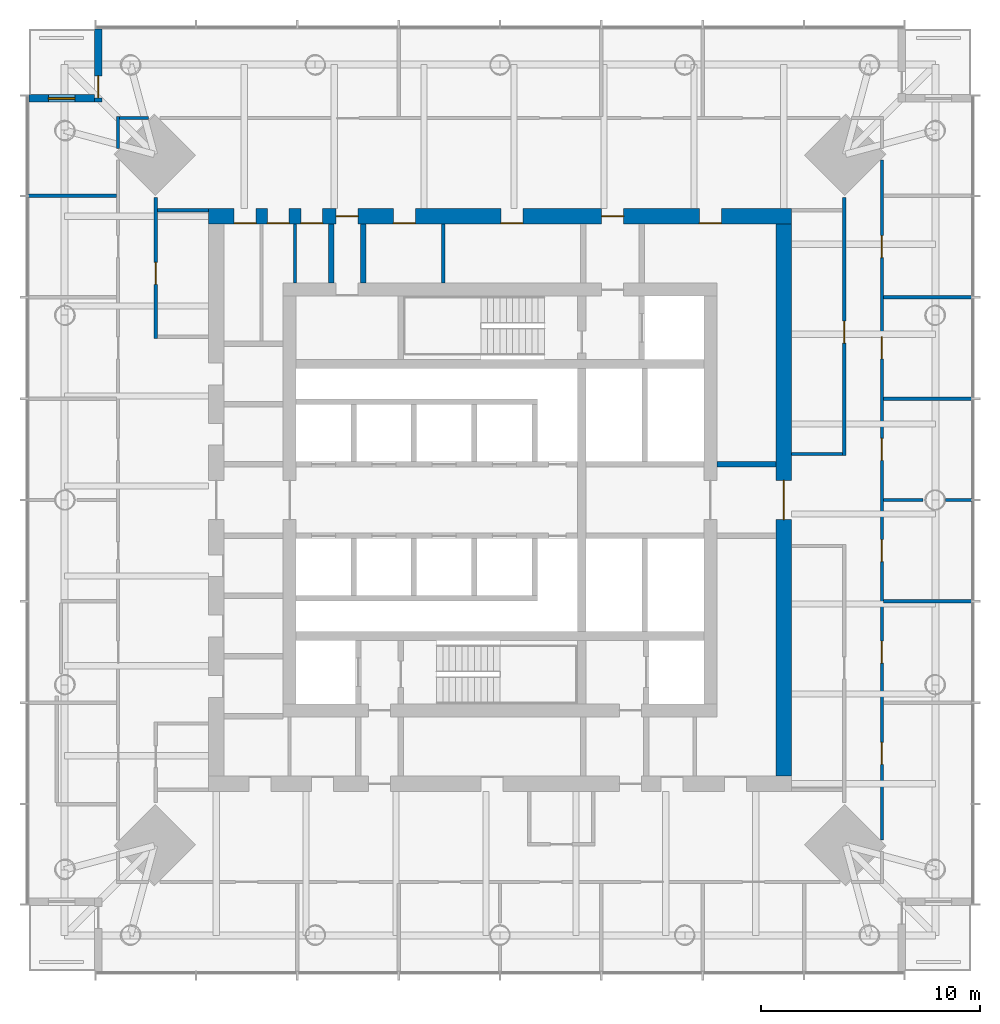
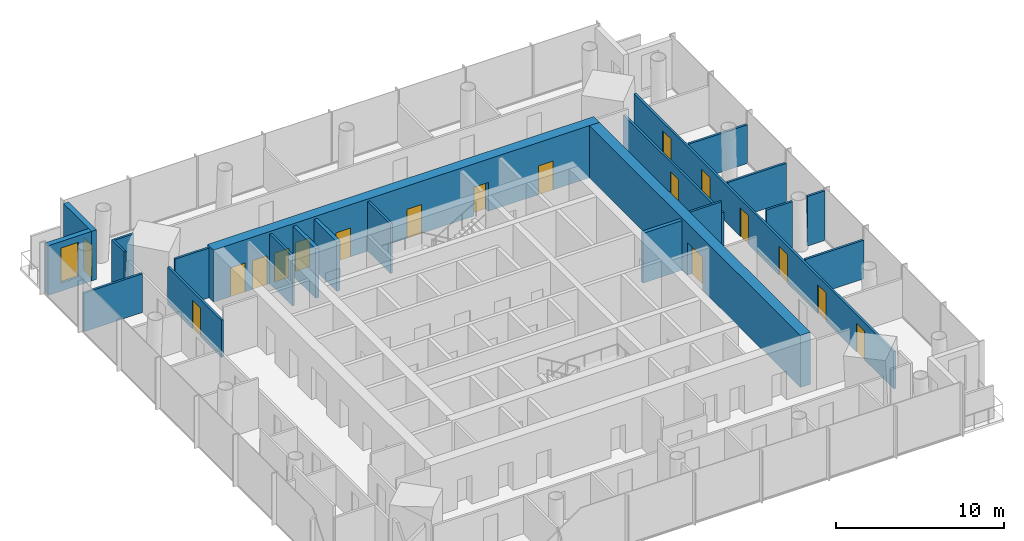
# One storey, part 7 of 9: 22 walls, 18 doors, 1 window, 19 openings.
"""IFC4 building model written with IfcOpenShell, lengths in metres."""

from ifc_helpers import new_model, si_unit, direction, frame, frame_2d, origin, place, context, subcontext, project, spatial, rectangle, extrude, material, layer, layer_set, type_object, element, fill, save


model = new_model("IFC4")

# Units and contexts
model_context = context("Model", 3, precision=1e-05, world=origin(), true_north=direction((0.0, 1.0)))
body_context = subcontext(model_context, "Body", "Model", "MODEL_VIEW")
ifc_project = project(units=[si_unit("LENGTHUNIT", "METRE"), si_unit("AREAUNIT", "SQUARE_METRE"), si_unit("VOLUMEUNIT", "CUBIC_METRE"), si_unit("PLANEANGLEUNIT", "RADIAN"), si_unit("MASSUNIT", "GRAM", prefix="KILO")], contexts=[model_context])

# Site, building, storey
site_placement = place(None, origin())
site = spatial("IfcSite", under=ifc_project, at=site_placement, CompositionType="ELEMENT")
building_placement = place(site_placement, origin())
building = spatial("IfcBuilding", under=site, at=building_placement, Name="Ostroluk Exchange", CompositionType="ELEMENT")
storey_placement = place(building_placement, frame((0.0, 0.0, 150.199951171875)))
storey = spatial("IfcBuildingStorey", under=building, at=storey_placement, Name="L38", CompositionType="ELEMENT", Elevation=150.199951171875)

# Walls
ifc_material_1 = material(Name="Concrete blockwork", Category="masonry")
ifc_layer_1 = layer(ifc_material_1, 0.14990234375)
ifc_layer_set_1 = layer_set([ifc_layer_1], Name="Blockwork plant room wall 150")
wall_type_1 = type_object("IfcWallType", Name="Blockwork plant room wall 150", PredefinedType="SOLIDWALL", material=ifc_layer_set_1)
for number, where, z_axis, x_axis, name in (
    (1, (35.64697265625, 55.89990234375, 0.0), (0.0, 0.0, 1.0), (0.0, 1.0, 0.0), "Core room wall"),
    (2, (42.40478515625, 55.89990234375, 0.0), (0.0, 0.0, 1.0), (0.0, 1.0, 0.0), "Core room wall"),
):
    element("IfcWall", number, at=place(storey_placement, frame(where, z_axis=z_axis, x_axis=x_axis)), inside=storey, type_object=wall_type_1, Name=name, PredefinedType="SOLIDWALL", context=body_context, shape_type="SweptSolid", body=[
        extrude(rectangle(XDim=2.7001953125, YDim=0.14990234375, at=frame_2d((1.35009765625, 0.0))), origin(), (0.0, 0.0, 1.0), 3.6201171875),
    ])
ifc_material_2 = material(Name="Concrete blockwork", Category="masonry")
ifc_layer_2 = layer(ifc_material_2, 0.25)
ifc_layer_set_2 = layer_set([ifc_layer_2], Name="Blockwork stair enclosure wall 250")
wall_type_2 = type_object("IfcWallType", Name="Blockwork stair enclosure wall 250", PredefinedType="SOLIDWALL", material=ifc_layer_set_2)
for number, where, z_axis, x_axis, name in (
    (3, (54.89990234375, 47.625, 0.0), (0.0, 0.0, 1.0), (1.0, 0.0, 0.0), "Lift lobby enclosure wall"),
    (4, (37.300048828125, 55.89990234375, 0.0), (0.0, 0.0, 1.0), (0.0, 1.0, 0.0), "Core corridor wall"),
    (5, (38.75, 55.89990234375, 0.0), (0.0, 0.0, 1.0), (0.0, 1.0, 0.0), "Core corridor wall"),
):
    element("IfcWall", number, at=place(storey_placement, frame(where, z_axis=z_axis, x_axis=x_axis)), inside=storey, type_object=wall_type_2, Name=name, PredefinedType="SOLIDWALL", context=body_context, shape_type="SweptSolid", body=[
        extrude(rectangle(XDim=2.7001953125, YDim=0.25, at=frame_2d((1.35009765625, 0.0))), origin(), (0.0, 0.0, 1.0), 3.6201171875),
    ])

# Wall, openings, doors
ifc_material_3 = material(Name="Concrete C50/60", Category="concrete")
ifc_layer_3 = layer(ifc_material_3, 0.699951171875)
ifc_layer_set_3 = layer_set([ifc_layer_3], Name="Core wall 700 C50/60")
wall_type_3 = type_object("IfcWallType", Name="Core wall 700 C50/60", PredefinedType="SHEAR", material=ifc_layer_set_3)
wall_1_placement = place(storey_placement, frame((31.699951171875, 58.949951171875, 0.0), z_axis=(0.0, 0.0, 1.0), x_axis=(1.0, 0.0, 0.0)))
wall_1 = element("IfcWall", 6, at=wall_1_placement, inside=storey, type_object=wall_type_3, Name="T1 core wall RN", PredefinedType="SHEAR", context=body_context, shape_type="SweptSolid", body=[
    extrude(rectangle(XDim=26.60009765625, YDim=0.699951171875, at=frame_2d((13.300048828125, 0.0))), origin(), (0.0, 0.0, 1.0), 3.800048828125),
])
opening_1_placement = place(wall_1_placement, frame((17.93994140625, 0.0, 0.0)))
opening_1 = element("IfcOpeningElement", 7, at=opening_1_placement, cuts=wall_1, Name="Opening FD60", PredefinedType="OPENING", context=body_context, shape_type="SweptSolid", body=[
    extrude(rectangle(XDim=1.0, YDim=2.10009765625, at=frame_2d((0.5, 1.050048828125))), frame((0.0, 0.35986328125, 0.0), z_axis=(0.0, -1.0, 0.0), x_axis=(1.0, 0.0, 0.0)), (0.0, 0.0, 1.0), 0.719970703125),
])
opening_2_placement = place(wall_1_placement, frame((5.824951171875, 0.0, 0.0)))
opening_2 = element("IfcOpeningElement", 8, at=opening_2_placement, cuts=wall_1, Name="Opening FD60", PredefinedType="OPENING", context=body_context, shape_type="SweptSolid", body=[
    extrude(rectangle(XDim=1.0, YDim=2.10009765625, at=frame_2d((0.5, 1.050048828125))), frame((0.0, 0.35986328125, 0.0), z_axis=(0.0, -1.0, 0.0), x_axis=(1.0, 0.0, 0.0)), (0.0, 0.0, 1.0), 0.719970703125),
])
opening_3_placement = place(wall_1_placement, frame((1.1689453125, 0.0, 0.0)))
opening_3 = element("IfcOpeningElement", 9, at=opening_3_placement, cuts=wall_1, Name="Opening FD60", PredefinedType="OPENING", context=body_context, shape_type="SweptSolid", body=[
    extrude(rectangle(XDim=1.0, YDim=2.10009765625, at=frame_2d((0.5, 1.050048828125))), frame((0.0, 0.35986328125, 0.0), z_axis=(0.0, -1.0, 0.0), x_axis=(1.0, 0.0, 0.0)), (0.0, 0.0, 1.0), 0.719970703125),
])
opening_4_placement = place(wall_1_placement, frame((2.68310546875, 0.0, 0.0)))
opening_4 = element("IfcOpeningElement", 10, at=opening_4_placement, cuts=wall_1, Name="Opening FD60", PredefinedType="OPENING", context=body_context, shape_type="SweptSolid", body=[
    extrude(rectangle(XDim=1.0, YDim=2.10009765625, at=frame_2d((0.5, 1.050048828125))), frame((0.0, 0.35986328125, 0.0), z_axis=(0.0, -1.0, 0.0), x_axis=(1.0, 0.0, 0.0)), (0.0, 0.0, 1.0), 0.719970703125),
])
opening_5_placement = place(wall_1_placement, frame((4.2109375, 0.0, 0.0)))
opening_5 = element("IfcOpeningElement", 11, at=opening_5_placement, cuts=wall_1, Name="Opening FD60", PredefinedType="OPENING", context=body_context, shape_type="SweptSolid", body=[
    extrude(rectangle(XDim=1.0, YDim=2.10009765625, at=frame_2d((0.5, 1.050048828125))), frame((0.0, 0.35986328125, 0.0), z_axis=(0.0, -1.0, 0.0), x_axis=(1.0, 0.0, 0.0)), (0.0, 0.0, 1.0), 0.719970703125),
])
opening_6_placement = place(wall_1_placement, frame((8.43994140625, 0.0, 0.0)))
opening_6 = element("IfcOpeningElement", 12, at=opening_6_placement, cuts=wall_1, Name="Opening FD60", PredefinedType="OPENING", context=body_context, shape_type="SweptSolid", body=[
    extrude(rectangle(XDim=1.0, YDim=2.10009765625, at=frame_2d((0.5, 1.050048828125))), frame((0.0, 0.35986328125, 0.0), z_axis=(0.0, -1.0, 0.0), x_axis=(1.0, 0.0, 0.0)), (0.0, 0.0, 1.0), 0.719970703125),
])
opening_7_placement = place(wall_1_placement, frame((13.34228515625, 0.0, 0.0)))
opening_7 = element("IfcOpeningElement", 13, at=opening_7_placement, cuts=wall_1, Name="Opening FD60", PredefinedType="OPENING", context=body_context, shape_type="SweptSolid", body=[
    extrude(rectangle(XDim=1.0, YDim=2.10009765625, at=frame_2d((0.5, 1.050048828125))), frame((0.0, 0.35986328125, 0.0), z_axis=(0.0, -1.0, 0.0), x_axis=(1.0, 0.0, 0.0)), (0.0, 0.0, 1.0), 0.719970703125),
])
opening_8_placement = place(wall_1_placement, frame((22.39990234375, 0.0, 0.0)))
opening_8 = element("IfcOpeningElement", 14, at=opening_8_placement, cuts=wall_1, Name="Opening FD60", PredefinedType="OPENING", context=body_context, shape_type="SweptSolid", body=[
    extrude(rectangle(XDim=1.0, YDim=2.10009765625, at=frame_2d((0.5, 1.050048828125))), frame((0.0, 0.35986328125, 0.0), z_axis=(0.0, -1.0, 0.0), x_axis=(1.0, 0.0, 0.0)), (0.0, 0.0, 1.0), 0.719970703125),
])
ifc_material_4 = material(Name="Steel", Category="steel")
door_type_1 = type_object("IfcDoorType", Name="Fire door EI 60 1000 x 2100", OperationType="SINGLE_SWING_LEFT", PredefinedType="DOOR", material=ifc_material_4)
door_1_placement = place(opening_1_placement, origin())
door_1 = element("IfcDoor", 15, at=door_1_placement, inside=storey, type_object=door_type_1, Name="Firefighting lobby door", OperationType="SINGLE_SWING_RIGHT", OverallHeight=2.10009765625, OverallWidth=1.0, PredefinedType="DOOR", context=body_context, shape_type="SweptSolid", body=[
    extrude(rectangle(XDim=1.0, YDim=2.10009765625, at=frame_2d((0.5, 1.050048828125))), frame((0.0, 0.02490234375, 0.0), z_axis=(0.0, -1.0, 0.0), x_axis=(1.0, 0.0, 0.0)), (0.0, 0.0, 1.0), 0.050048828125),
])
fill(opening_1, door_1)
door_2_placement = place(opening_2_placement, origin())
door_2 = element("IfcDoor", 16, at=door_2_placement, inside=storey, type_object=door_type_1, Name="Core corridor door", OperationType="SINGLE_SWING_LEFT", OverallHeight=2.10009765625, OverallWidth=1.0, PredefinedType="DOOR", context=body_context, shape_type="SweptSolid", body=[
    extrude(rectangle(XDim=1.0, YDim=2.10009765625, at=frame_2d((0.5, 1.050048828125))), frame((0.0, 0.02490234375, 0.0), z_axis=(0.0, -1.0, 0.0), x_axis=(1.0, 0.0, 0.0)), (0.0, 0.0, 1.0), 0.050048828125),
])
fill(opening_2, door_2)
door_3_placement = place(opening_3_placement, origin())
door_3 = element("IfcDoor", 17, at=door_3_placement, inside=storey, type_object=door_type_1, Name="Tenant IT room door", OperationType="SINGLE_SWING_LEFT", OverallHeight=2.10009765625, OverallWidth=1.0, PredefinedType="DOOR", context=body_context, shape_type="SweptSolid", body=[
    extrude(rectangle(XDim=1.0, YDim=2.10009765625, at=frame_2d((0.5, 1.050048828125))), frame((0.0, -0.2900390625, 0.0), z_axis=(0.0, -1.0, 0.0), x_axis=(1.0, 0.0, 0.0)), (0.0, 0.0, 1.0), 0.050048828125),
])
fill(opening_3, door_3)
door_4_placement = place(opening_4_placement, origin())
door_4 = element("IfcDoor", 18, at=door_4_placement, inside=storey, type_object=door_type_1, Name="First aid room door", OperationType="SINGLE_SWING_LEFT", OverallHeight=2.10009765625, OverallWidth=1.0, PredefinedType="DOOR", context=body_context, shape_type="SweptSolid", body=[
    extrude(rectangle(XDim=1.0, YDim=2.10009765625, at=frame_2d((0.5, 1.050048828125))), frame((0.0, -0.2900390625, 0.0), z_axis=(0.0, -1.0, 0.0), x_axis=(1.0, 0.0, 0.0)), (0.0, 0.0, 1.0), 0.050048828125),
])
fill(opening_4, door_4)
door_5_placement = place(opening_5_placement, origin())
door_5 = element("IfcDoor", 19, at=door_5_placement, inside=storey, type_object=door_type_1, Name="Cleaner's store door", OperationType="SINGLE_SWING_LEFT", OverallHeight=2.10009765625, OverallWidth=1.0, PredefinedType="DOOR", context=body_context, shape_type="SweptSolid", body=[
    extrude(rectangle(XDim=1.0, YDim=2.10009765625, at=frame_2d((0.5, 1.050048828125))), frame((0.0, -0.2900390625, 0.0), z_axis=(0.0, -1.0, 0.0), x_axis=(1.0, 0.0, 0.0)), (0.0, 0.0, 1.0), 0.050048828125),
])
fill(opening_5, door_5)
door_6_placement = place(opening_6_placement, origin())
door_6 = element("IfcDoor", 20, at=door_6_placement, inside=storey, type_object=door_type_1, Name="Print and post room door", OperationType="SINGLE_SWING_LEFT", OverallHeight=2.10009765625, OverallWidth=1.0, PredefinedType="DOOR", context=body_context, shape_type="SweptSolid", body=[
    extrude(rectangle(XDim=1.0, YDim=2.10009765625, at=frame_2d((0.5, 1.050048828125))), frame((0.0, -0.2900390625, 0.0), z_axis=(0.0, -1.0, 0.0), x_axis=(1.0, 0.0, 0.0)), (0.0, 0.0, 1.0), 0.050048828125),
])
fill(opening_6, door_6)
door_7_placement = place(opening_7_placement, origin())
door_7 = element("IfcDoor", 21, at=door_7_placement, inside=storey, type_object=door_type_1, Name="Archive door", OperationType="SINGLE_SWING_RIGHT", OverallHeight=2.10009765625, OverallWidth=1.0, PredefinedType="DOOR", context=body_context, shape_type="SweptSolid", body=[
    extrude(rectangle(XDim=1.0, YDim=2.10009765625, at=frame_2d((0.5, 1.050048828125))), frame((0.0, -0.2900390625, 0.0), z_axis=(0.0, -1.0, 0.0), x_axis=(1.0, 0.0, 0.0)), (0.0, 0.0, 1.0), 0.050048828125),
])
fill(opening_7, door_7)
door_8_placement = place(opening_8_placement, origin())
door_8 = element("IfcDoor", 22, at=door_8_placement, inside=storey, type_object=door_type_1, Name="First aid room door", OperationType="SINGLE_SWING_RIGHT", OverallHeight=2.10009765625, OverallWidth=1.0, PredefinedType="DOOR", context=body_context, shape_type="SweptSolid", body=[
    extrude(rectangle(XDim=1.0, YDim=2.10009765625, at=frame_2d((0.5, 1.050048828125))), frame((0.0, -0.2900390625, 0.0), z_axis=(0.0, -1.0, 0.0), x_axis=(1.0, 0.0, 0.0)), (0.0, 0.0, 1.0), 0.050048828125),
])
fill(opening_8, door_8)

# Wall, opening, door
wall_2_placement = place(storey_placement, frame((57.949951171875, 33.39990234375, 0.0), z_axis=(0.0, 0.0, 1.0), x_axis=(0.0, 1.0, 0.0)))
wall_2 = element("IfcWall", 23, at=wall_2_placement, inside=storey, type_object=wall_type_3, Name="T1 core wall RE", PredefinedType="SHEAR", context=body_context, shape_type="SweptSolid", body=[
    extrude(rectangle(XDim=25.2001953125, YDim=0.699951171875, at=frame_2d((12.60009765625, 0.0))), origin(), (0.0, 0.0, 1.0), 3.800048828125),
])
opening_9_placement = place(wall_2_placement, frame((11.699951171875, 0.0, 0.0)))
opening_9 = element("IfcOpeningElement", 24, at=opening_9_placement, cuts=wall_2, Name="Opening FD30D", PredefinedType="OPENING", context=body_context, shape_type="SweptSolid", body=[
    extrude(rectangle(XDim=1.800048828125, YDim=2.39990234375, at=frame_2d((0.89990234375, 1.199951171875))), frame((0.0, 0.35986328125, 0.0), z_axis=(0.0, -1.0, 0.0), x_axis=(1.0, 0.0, 0.0)), (0.0, 0.0, 1.0), 0.719970703125),
])
ifc_material_5 = material(Name="Timber", Category="wood")
door_type_2 = type_object("IfcDoorType", Name="Lobby double door EI 30 1800 x 2400", OperationType="DOUBLE_DOOR_SINGLE_SWING", PredefinedType="DOOR", material=ifc_material_5)
door_9_placement = place(opening_9_placement, origin())
door_9 = element("IfcDoor", 25, at=door_9_placement, inside=storey, type_object=door_type_2, Name="Lift lobby doors", OperationType="DOUBLE_DOOR_SINGLE_SWING", OverallHeight=2.39990234375, OverallWidth=1.800048828125, PredefinedType="DOOR", context=body_context, shape_type="SweptSolid", body=[
    extrude(rectangle(XDim=1.800048828125, YDim=2.39990234375, at=frame_2d((0.89990234375, 1.199951171875))), frame((0.0, 0.02490234375, 0.0), z_axis=(0.0, -1.0, 0.0), x_axis=(1.0, 0.0, 0.0)), (0.0, 0.0, 1.0), 0.050048828125),
])
fill(opening_9, door_9)

ifc_material_6 = material(Name="Limestone", Category="masonry")
ifc_layer_4 = layer(ifc_material_6, 0.35009765625)
ifc_layer_set_4 = layer_set([ifc_layer_4], Name="Limestone facade wall 350")
wall_type_4 = type_object("IfcWallType", Name="Limestone facade wall 350", PredefinedType="SOLIDWALL", material=ifc_layer_set_4)
wall_3_placement = place(storey_placement, frame((26.675048828125, 67.5, 0.0), z_axis=(0.0, 0.0, 1.0), x_axis=(0.0, -1.0, 0.0)))
wall_3 = element("IfcWall", 26, at=wall_3_placement, inside=storey, type_object=wall_type_4, Name="Office tower NW corner wall L38 a", PredefinedType="SOLIDWALL", context=body_context, shape_type="SweptSolid", body=[
    extrude(rectangle(XDim=3.35009765625, YDim=0.35009765625, at=frame_2d((1.675048828125, 0.0))), origin(), (0.0, 0.0, 1.0), 3.6201171875),
])
opening_10_placement = place(wall_3_placement, frame((2.14990234375, 0.0, 0.0)))
opening_10 = element("IfcOpeningElement", 27, at=opening_10_placement, cuts=wall_3, Name="Opening D-B1", PredefinedType="OPENING", context=body_context, shape_type="SweptSolid", body=[
    extrude(rectangle(XDim=1.0, YDim=2.39990234375, at=frame_2d((0.5, 1.199951171875))), frame((0.0, 0.18505859375, 0.0), z_axis=(0.0, -1.0, 0.0), x_axis=(1.0, 0.0, 0.0)), (0.0, 0.0, 1.0), 0.3701171875),
])
ifc_material_7 = material(Name="Bronze framed glazed door", Category="aluminium")
door_type_3 = type_object("IfcDoorType", Name="Balcony door 1000 x 2400", OperationType="SINGLE_SWING_LEFT", PredefinedType="DOOR", material=ifc_material_7)
door_10_placement = place(opening_10_placement, origin())
door_10 = element("IfcDoor", 28, at=door_10_placement, inside=storey, type_object=door_type_3, Name="Office tower NW balcony door L38", OperationType="SINGLE_SWING_RIGHT", OverallHeight=2.39990234375, OverallWidth=1.0, PredefinedType="DOOR", context=body_context, shape_type="SweptSolid", body=[
    extrude(rectangle(XDim=1.0, YDim=2.39990234375, at=frame_2d((0.5, 1.199951171875))), frame((0.0, 0.02490234375, 0.0), z_axis=(0.0, -1.0, 0.0), x_axis=(1.0, 0.0, 0.0)), (0.0, 0.0, 1.0), 0.050048828125),
])
fill(opening_10, door_10)

# Wall, opening, window
wall_4_placement = place(storey_placement, frame((26.5, 64.324951171875, 0.0), z_axis=(0.0, 0.0, 1.0), x_axis=(-1.0, 0.0, 0.0)))
wall_4 = element("IfcWall", 29, at=wall_4_placement, inside=storey, type_object=wall_type_4, Name="Office tower NW corner wall L38 b", PredefinedType="SOLIDWALL", context=body_context, shape_type="SweptSolid", body=[
    extrude(rectangle(XDim=3.0, YDim=0.35009765625, at=frame_2d((1.5, 0.0))), origin(), (0.0, 0.0, 1.0), 3.6201171875),
])
opening_11_placement = place(wall_4_placement, frame((0.89990234375, 0.0, 0.60009765625)))
opening_11 = element("IfcOpeningElement", 30, at=opening_11_placement, cuts=wall_4, Name="Opening WN-L1", PredefinedType="OPENING", context=body_context, shape_type="SweptSolid", body=[
    extrude(rectangle(XDim=1.199951171875, YDim=2.550048828125, at=frame_2d((0.60009765625, 1.27490234375))), frame((0.0, 0.18505859375, 0.0), z_axis=(0.0, -1.0, 0.0), x_axis=(1.0, 0.0, 0.0)), (0.0, 0.0, 1.0), 0.3701171875),
])
ifc_material_8 = material(Name="Laminated clear glass", Category="glass")
window_type = type_object("IfcWindowType", Name="Lancet window 1200 x 2550", PartitioningType="SINGLE_PANEL", PredefinedType="WINDOW", material=ifc_material_8)
window_placement = place(opening_11_placement, origin())
window = element("IfcWindow", 31, at=window_placement, inside=storey, type_object=window_type, Name="Office tower NW lancet window L38", OverallHeight=2.550048828125, OverallWidth=1.199951171875, PartitioningType="SINGLE_PANEL", PredefinedType="WINDOW", context=body_context, shape_type="SweptSolid", body=[
    extrude(rectangle(XDim=1.199951171875, YDim=2.550048828125, at=frame_2d((0.60009765625, 1.27490234375))), frame((0.0, 0.030029296875, 0.0), z_axis=(0.0, -1.0, 0.0), x_axis=(1.0, 0.0, 0.0)), (0.0, 0.0, 1.0), 0.06005859375),
])
fill(opening_11, window)

# Wall, opening, door
ifc_material_9 = material(Name="Gypsum plasterboard partition", Category="gypsum")
ifc_layer_5 = layer(ifc_material_9, 0.14990234375)
ifc_layer_set_5 = layer_set([ifc_layer_5], Name="Plasterboard partition 150")
wall_type_5 = type_object("IfcWallType", Name="Plasterboard partition 150", PredefinedType="PARTITIONING", material=ifc_layer_set_5)
wall_5_placement = place(storey_placement, frame((60.699951171875, 48.02490234375, 0.0), z_axis=(0.0, 0.0, 1.0), x_axis=(0.0, 1.0, 0.0)))
wall_5 = element("IfcWall", 32, at=wall_5_placement, inside=storey, type_object=wall_type_5, Name="Partition", PredefinedType="PARTITIONING", context=body_context, shape_type="SweptSolid", body=[
    extrude(rectangle(XDim=11.775146484375, YDim=0.14990234375, at=frame_2d((5.8876953125, 0.0))), origin(), (0.0, 0.0, 1.0), 2.80615234375),
])
opening_12_placement = place(wall_5_placement, frame((5.137451171875, 0.0, 0.0)))
opening_12 = element("IfcOpeningElement", 33, at=opening_12_placement, cuts=wall_5, Name="Opening D-03", PredefinedType="OPENING", context=body_context, shape_type="SweptSolid", body=[
    extrude(rectangle(XDim=1.0, YDim=2.10009765625, at=frame_2d((0.5, 1.050048828125))), frame((0.0, 0.0849609375, 0.0), z_axis=(0.0, -1.0, 0.0), x_axis=(1.0, 0.0, 0.0)), (0.0, 0.0, 1.0), 0.169921875),
])
ifc_material_10 = material(Name="Timber", Category="wood")
door_type_4 = type_object("IfcDoorType", Name="Internal door 1000 x 2100", OperationType="SINGLE_SWING_LEFT", PredefinedType="DOOR", material=ifc_material_10)
door_11_placement = place(opening_12_placement, origin())
door_11 = element("IfcDoor", 34, at=door_11_placement, inside=storey, type_object=door_type_4, Name="Project room door", OperationType="SINGLE_SWING_LEFT", OverallHeight=2.10009765625, OverallWidth=1.0, PredefinedType="DOOR", context=body_context, shape_type="SweptSolid", body=[
    extrude(rectangle(XDim=1.0, YDim=2.10009765625, at=frame_2d((0.5, 1.050048828125))), frame((0.0, 0.02490234375, 0.0), z_axis=(0.0, -1.0, 0.0), x_axis=(1.0, 0.0, 0.0)), (0.0, 0.0, 1.0), 0.050048828125),
])
fill(opening_12, door_11)

# Wall
wall_6_placement = place(storey_placement, frame((58.300048828125, 48.10009765625, 0.0), z_axis=(0.0, 0.0, 1.0), x_axis=(1.0, 0.0, 0.0)))
element("IfcWall", 35, at=wall_6_placement, inside=storey, type_object=wall_type_5, Name="Partition", PredefinedType="PARTITIONING", context=body_context, shape_type="SweptSolid", body=[
    extrude(rectangle(XDim=2.324951171875, YDim=0.14990234375, at=frame_2d((1.16259765625, 0.0))), origin(), (0.0, 0.0, 1.0), 3.6201171875),
])

# Wall, opening, door
wall_7_placement = place(storey_placement, frame((29.300048828125, 59.800048828125, 0.0), z_axis=(0.0, 0.0, 1.0), x_axis=(0.0, -1.0, 0.0)))
wall_7 = element("IfcWall", 36, at=wall_7_placement, inside=storey, type_object=wall_type_5, Name="Partition", PredefinedType="PARTITIONING", context=body_context, shape_type="SweptSolid", body=[
    extrude(rectangle(XDim=6.425048828125, YDim=0.14990234375, at=frame_2d((3.21240234375, 0.0))), origin(), (0.0, 0.0, 1.0), 2.719970703125),
])
opening_13_placement = place(wall_7_placement, frame((2.96240234375, 0.0, 0.0)))
opening_13 = element("IfcOpeningElement", 37, at=opening_13_placement, cuts=wall_7, Name="Opening D-03", PredefinedType="OPENING", context=body_context, shape_type="SweptSolid", body=[
    extrude(rectangle(XDim=1.0, YDim=2.10009765625, at=frame_2d((0.5, 1.050048828125))), frame((0.0, 0.0849609375, 0.0), z_axis=(0.0, -1.0, 0.0), x_axis=(1.0, 0.0, 0.0)), (0.0, 0.0, 1.0), 0.169921875),
])
door_12_placement = place(opening_13_placement, origin())
door_12 = element("IfcDoor", 38, at=door_12_placement, inside=storey, type_object=door_type_4, Name="Project room door", OperationType="SINGLE_SWING_RIGHT", OverallHeight=2.10009765625, OverallWidth=1.0, PredefinedType="DOOR", context=body_context, shape_type="SweptSolid", body=[
    extrude(rectangle(XDim=1.0, YDim=2.10009765625, at=frame_2d((0.5, 1.050048828125))), frame((0.0, 0.02490234375, 0.0), z_axis=(0.0, -1.0, 0.0), x_axis=(1.0, 0.0, 0.0)), (0.0, 0.0, 1.0), 0.050048828125),
])
fill(opening_13, door_12)

# Wall
wall_8_placement = place(storey_placement, frame((31.699951171875, 59.22509765625, 0.0), z_axis=(0.0, 0.0, 1.0), x_axis=(-1.0, 0.0, 0.0)))
element("IfcWall", 39, at=wall_8_placement, inside=storey, type_object=wall_type_5, Name="Partition", PredefinedType="PARTITIONING", context=body_context, shape_type="SweptSolid", body=[
    extrude(rectangle(XDim=2.324951171875, YDim=0.14990234375, at=frame_2d((1.16259765625, 0.0))), origin(), (0.0, 0.0, 1.0), 3.6201171875),
])

# Wall, openings, doors
wall_9_placement = place(storey_placement, frame((62.425048828125, 30.488525390625, 0.0), z_axis=(0.0, 0.0, 1.0), x_axis=(0.0, 1.0, 0.0)))
wall_9 = element("IfcWall", 40, at=wall_9_placement, inside=storey, type_object=wall_type_5, Name="Partition", PredefinedType="PARTITIONING", context=body_context, shape_type="SweptSolid", body=[
    extrude(rectangle(XDim=31.02294921875, YDim=0.14990234375, at=frame_2d((15.511474609375, 0.0))), origin(), (0.0, 0.0, 1.0), 2.719970703125),
])
opening_14_placement = place(wall_9_placement, frame((3.448974609375, 0.0, 0.0)))
opening_14 = element("IfcOpeningElement", 41, at=opening_14_placement, cuts=wall_9, Name="Opening D-03", PredefinedType="OPENING", context=body_context, shape_type="SweptSolid", body=[
    extrude(rectangle(XDim=1.0, YDim=2.10009765625, at=frame_2d((0.5, 1.050048828125))), frame((0.0, 0.0849609375, 0.0), z_axis=(0.0, -1.0, 0.0), x_axis=(1.0, 0.0, 0.0)), (0.0, 0.0, 1.0), 0.169921875),
])
opening_15_placement = place(wall_9_placement, frame((8.073974609375, 0.0, 0.0)))
opening_15 = element("IfcOpeningElement", 42, at=opening_15_placement, cuts=wall_9, Name="Opening D-03", PredefinedType="OPENING", context=body_context, shape_type="SweptSolid", body=[
    extrude(rectangle(XDim=1.0, YDim=2.10009765625, at=frame_2d((0.5, 1.050048828125))), frame((0.0, 0.0849609375, 0.0), z_axis=(0.0, -1.0, 0.0), x_axis=(1.0, 0.0, 0.0)), (0.0, 0.0, 1.0), 0.169921875),
])
opening_16_placement = place(wall_9_placement, frame((12.698974609375, 0.0, 0.0)))
opening_16 = element("IfcOpeningElement", 43, at=opening_16_placement, cuts=wall_9, Name="Opening D-03", PredefinedType="OPENING", context=body_context, shape_type="SweptSolid", body=[
    extrude(rectangle(XDim=1.0, YDim=2.10009765625, at=frame_2d((0.5, 1.050048828125))), frame((0.0, 0.0849609375, 0.0), z_axis=(0.0, -1.0, 0.0), x_axis=(1.0, 0.0, 0.0)), (0.0, 0.0, 1.0), 0.169921875),
])
opening_17_placement = place(wall_9_placement, frame((17.323974609375, 0.0, 0.0)))
opening_17 = element("IfcOpeningElement", 44, at=opening_17_placement, cuts=wall_9, Name="Opening D-03", PredefinedType="OPENING", context=body_context, shape_type="SweptSolid", body=[
    extrude(rectangle(XDim=1.0, YDim=2.10009765625, at=frame_2d((0.5, 1.050048828125))), frame((0.0, 0.0849609375, 0.0), z_axis=(0.0, -1.0, 0.0), x_axis=(1.0, 0.0, 0.0)), (0.0, 0.0, 1.0), 0.169921875),
])
opening_18_placement = place(wall_9_placement, frame((21.948974609375, 0.0, 0.0)))
opening_18 = element("IfcOpeningElement", 45, at=opening_18_placement, cuts=wall_9, Name="Opening D-03", PredefinedType="OPENING", context=body_context, shape_type="SweptSolid", body=[
    extrude(rectangle(XDim=1.0, YDim=2.10009765625, at=frame_2d((0.5, 1.050048828125))), frame((0.0, 0.0849609375, 0.0), z_axis=(0.0, -1.0, 0.0), x_axis=(1.0, 0.0, 0.0)), (0.0, 0.0, 1.0), 0.169921875),
])
opening_19_placement = place(wall_9_placement, frame((26.573974609375, 0.0, 0.0)))
opening_19 = element("IfcOpeningElement", 46, at=opening_19_placement, cuts=wall_9, Name="Opening D-03", PredefinedType="OPENING", context=body_context, shape_type="SweptSolid", body=[
    extrude(rectangle(XDim=1.0, YDim=2.10009765625, at=frame_2d((0.5, 1.050048828125))), frame((0.0, 0.0849609375, 0.0), z_axis=(0.0, -1.0, 0.0), x_axis=(1.0, 0.0, 0.0)), (0.0, 0.0, 1.0), 0.169921875),
])
door_13_placement = place(opening_14_placement, origin())
door_13 = element("IfcDoor", 47, at=door_13_placement, inside=storey, type_object=door_type_4, Name="Office suite door", OperationType="SINGLE_SWING_LEFT", OverallHeight=2.10009765625, OverallWidth=1.0, PredefinedType="DOOR", context=body_context, shape_type="SweptSolid", body=[
    extrude(rectangle(XDim=1.0, YDim=2.10009765625, at=frame_2d((0.5, 1.050048828125))), frame((0.0, 0.02490234375, 0.0), z_axis=(0.0, -1.0, 0.0), x_axis=(1.0, 0.0, 0.0)), (0.0, 0.0, 1.0), 0.050048828125),
])
fill(opening_14, door_13)
door_14_placement = place(opening_15_placement, origin())
door_14 = element("IfcDoor", 48, at=door_14_placement, inside=storey, type_object=door_type_4, Name="Meeting room door", OperationType="SINGLE_SWING_LEFT", OverallHeight=2.10009765625, OverallWidth=1.0, PredefinedType="DOOR", context=body_context, shape_type="SweptSolid", body=[
    extrude(rectangle(XDim=1.0, YDim=2.10009765625, at=frame_2d((0.5, 1.050048828125))), frame((0.0, 0.02490234375, 0.0), z_axis=(0.0, -1.0, 0.0), x_axis=(1.0, 0.0, 0.0)), (0.0, 0.0, 1.0), 0.050048828125),
])
fill(opening_15, door_14)
door_15_placement = place(opening_16_placement, origin())
door_15 = element("IfcDoor", 49, at=door_15_placement, inside=storey, type_object=door_type_4, Name="Office door", OperationType="SINGLE_SWING_LEFT", OverallHeight=2.10009765625, OverallWidth=1.0, PredefinedType="DOOR", context=body_context, shape_type="SweptSolid", body=[
    extrude(rectangle(XDim=1.0, YDim=2.10009765625, at=frame_2d((0.5, 1.050048828125))), frame((0.0, 0.02490234375, 0.0), z_axis=(0.0, -1.0, 0.0), x_axis=(1.0, 0.0, 0.0)), (0.0, 0.0, 1.0), 0.050048828125),
])
fill(opening_16, door_15)
door_16_placement = place(opening_17_placement, origin())
door_16 = element("IfcDoor", 50, at=door_16_placement, inside=storey, type_object=door_type_4, Name="Office door", OperationType="SINGLE_SWING_RIGHT", OverallHeight=2.10009765625, OverallWidth=1.0, PredefinedType="DOOR", context=body_context, shape_type="SweptSolid", body=[
    extrude(rectangle(XDim=1.0, YDim=2.10009765625, at=frame_2d((0.5, 1.050048828125))), frame((0.0, 0.02490234375, 0.0), z_axis=(0.0, -1.0, 0.0), x_axis=(1.0, 0.0, 0.0)), (0.0, 0.0, 1.0), 0.050048828125),
])
fill(opening_17, door_16)
door_17_placement = place(opening_18_placement, origin())
door_17 = element("IfcDoor", 51, at=door_17_placement, inside=storey, type_object=door_type_4, Name="Office door", OperationType="SINGLE_SWING_RIGHT", OverallHeight=2.10009765625, OverallWidth=1.0, PredefinedType="DOOR", context=body_context, shape_type="SweptSolid", body=[
    extrude(rectangle(XDim=1.0, YDim=2.10009765625, at=frame_2d((0.5, 1.050048828125))), frame((0.0, 0.02490234375, 0.0), z_axis=(0.0, -1.0, 0.0), x_axis=(1.0, 0.0, 0.0)), (0.0, 0.0, 1.0), 0.050048828125),
])
fill(opening_18, door_17)
door_18_placement = place(opening_19_placement, origin())
door_18 = element("IfcDoor", 52, at=door_18_placement, inside=storey, type_object=door_type_4, Name="Office door", OperationType="SINGLE_SWING_RIGHT", OverallHeight=2.10009765625, OverallWidth=1.0, PredefinedType="DOOR", context=body_context, shape_type="SweptSolid", body=[
    extrude(rectangle(XDim=1.0, YDim=2.10009765625, at=frame_2d((0.5, 1.050048828125))), frame((0.0, 0.02490234375, 0.0), z_axis=(0.0, -1.0, 0.0), x_axis=(1.0, 0.0, 0.0)), (0.0, 0.0, 1.0), 0.050048828125),
])
fill(opening_19, door_18)

# Walls
wall_10_placement = place(storey_placement, frame((62.5, 41.375, 0.0), z_axis=(0.0, 0.0, 1.0), x_axis=(1.0, 0.0, 0.0)))
element("IfcWall", 53, at=wall_10_placement, inside=storey, type_object=wall_type_5, Name="Partition", PredefinedType="PARTITIONING", context=body_context, shape_type="SweptSolid", body=[
    extrude(rectangle(XDim=4.0400390625, YDim=0.14990234375, at=frame_2d((2.02001953125, 0.0))), origin(), (0.0, 0.0, 1.0), 2.820068359375),
])
wall_11_placement = place(storey_placement, frame((62.5, 46.0, 0.0), z_axis=(0.0, 0.0, 1.0), x_axis=(1.0, 0.0, 0.0)))
element("IfcWall", 54, at=wall_11_placement, inside=storey, type_object=wall_type_5, Name="Partition", PredefinedType="PARTITIONING", context=body_context, shape_type="SweptSolid", body=[
    extrude(rectangle(XDim=1.79296875, YDim=0.14990234375, at=frame_2d((0.896484375, 0.0))), origin(), (0.0, 0.0, 1.0), 3.6201171875),
])
wall_12_placement = place(storey_placement, frame((65.328369140625, 46.0, 0.0), z_axis=(0.0, 0.0, 1.0), x_axis=(1.0, 0.0, 0.0)))
element("IfcWall", 55, at=wall_12_placement, inside=storey, type_object=wall_type_5, Name="Partition", PredefinedType="PARTITIONING", context=body_context, shape_type="SweptSolid", body=[
    extrude(rectangle(XDim=1.211669921875, YDim=0.14990234375, at=frame_2d((0.60595703125, 0.0))), origin(), (0.0, 0.0, 1.0), 3.6201171875),
])
for number, where, z_axis, x_axis, name in (
    (56, (62.5, 50.625, 0.0), (0.0, 0.0, 1.0), (1.0, 0.0, 0.0), "Partition"),
    (57, (62.5, 55.25, 0.0), (0.0, 0.0, 1.0), (1.0, 0.0, 0.0), "Partition"),
):
    element("IfcWall", number, at=place(storey_placement, frame(where, z_axis=z_axis, x_axis=x_axis)), inside=storey, type_object=wall_type_5, Name=name, PredefinedType="PARTITIONING", context=body_context, shape_type="SweptSolid", body=[
        extrude(rectangle(XDim=4.0400390625, YDim=0.14990234375, at=frame_2d((2.02001953125, 0.0))), origin(), (0.0, 0.0, 1.0), 2.820068359375),
    ])
wall_13_placement = place(storey_placement, frame((28.96875, 63.425048828125, 0.0), z_axis=(0.0, 0.0, 1.0), x_axis=(-1.0, 0.0, 0.0)))
element("IfcWall", 58, at=wall_13_placement, inside=storey, type_object=wall_type_5, Name="Partition", PredefinedType="PARTITIONING", context=body_context, shape_type="SweptSolid", body=[
    extrude(rectangle(XDim=1.31884765625, YDim=0.14990234375, at=frame_2d((0.659423828125, 0.0))), origin(), (0.0, 0.0, 1.0), 3.070068359375),
])
wall_14_placement = place(storey_placement, frame((27.574951171875, 63.5, 0.0), z_axis=(0.0, 0.0, 1.0), x_axis=(0.0, -1.0, 0.0)))
element("IfcWall", 59, at=wall_14_placement, inside=storey, type_object=wall_type_5, Name="Partition", PredefinedType="PARTITIONING", context=body_context, shape_type="SweptSolid", body=[
    extrude(rectangle(XDim=1.46875, YDim=0.14990234375, at=frame_2d((0.734375, 0.0))), origin(), (0.0, 0.0, 1.0), 3.070068359375),
])
wall_15_placement = place(storey_placement, frame((27.5, 59.875, 0.0), z_axis=(0.0, 0.0, 1.0), x_axis=(-1.0, 0.0, 0.0)))
element("IfcWall", 60, at=wall_15_placement, inside=storey, type_object=wall_type_5, Name="Partition", PredefinedType="PARTITIONING", context=body_context, shape_type="SweptSolid", body=[
    extrude(rectangle(XDim=4.0400390625, YDim=0.14990234375, at=frame_2d((2.02001953125, 0.0))), origin(), (0.0, 0.0, 1.0), 2.820068359375),
])

save(model, "model.ifc")
